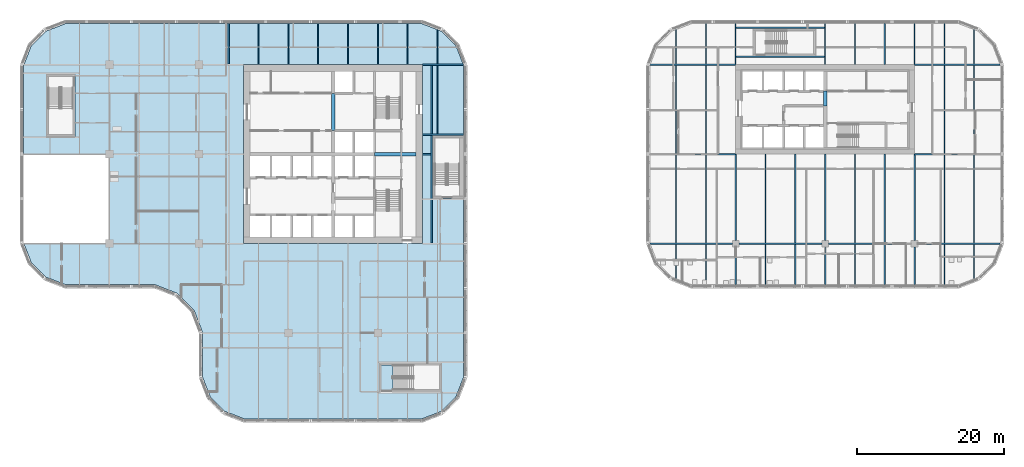
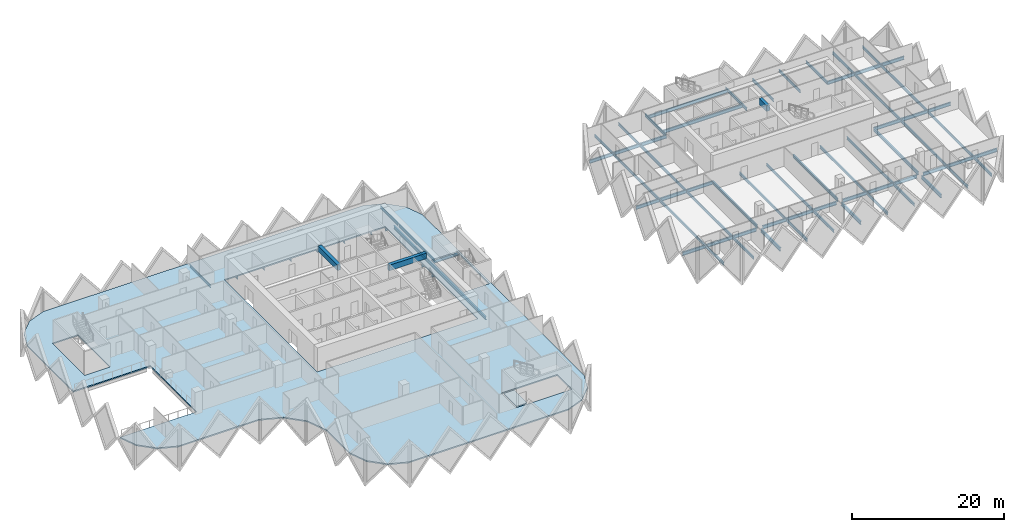
# One storey, part 2 of 20: 61 beams, 2 slabs.
"""IFC4 building model written with IfcOpenShell, lengths in metres."""

from ifc_helpers import new_model, si_unit, direction, frame, origin, origin_2d, place, context, subcontext, project, spatial, polyline, rectangle, i_section, outline, extrude, material, layer, layer_set, material_profile, profile_set, type_object, element, save


model = new_model("IFC4")

# Units and contexts
model_context = context("Model", 3, precision=1e-05, world=origin(), true_north=direction((0.0, 1.0)))
body_context = subcontext(model_context, "Body", "Model", "MODEL_VIEW")
ifc_project = project(units=[si_unit("LENGTHUNIT", "METRE"), si_unit("AREAUNIT", "SQUARE_METRE"), si_unit("VOLUMEUNIT", "CUBIC_METRE"), si_unit("PLANEANGLEUNIT", "RADIAN"), si_unit("MASSUNIT", "GRAM", prefix="KILO")], contexts=[model_context])

# Site, building, storey
site_placement = place(None, origin())
site = spatial("IfcSite", under=ifc_project, at=site_placement, CompositionType="ELEMENT")
building_placement = place(site_placement, origin())
building = spatial("IfcBuilding", under=site, at=building_placement, Name="Tessera Gate Towers", CompositionType="ELEMENT")
storey_placement = place(building_placement, frame((0.0, 0.0, 48.60009765625)))
storey = spatial("IfcBuildingStorey", under=building, at=storey_placement, Name="L11", CompositionType="ELEMENT", Elevation=48.60009765625)

# Beams
ifc_material_1 = material(Name="Concrete C60/75", Category="concrete")
ifc_material_profile_1 = material_profile(ifc_material_1, rectangle(XDim=0.5, YDim=0.89990234375, at=origin_2d()), Name="RC 500x900")
ifc_profile_set_1 = profile_set([ifc_material_profile_1], Name="Concrete C60/75")
beam_type_1 = type_object("IfcBeamType", Name="COUPLING BEAM 500x900 C60/75", PredefinedType="BEAM", material=ifc_profile_set_1)
beam_1_placement = place(storey_placement, frame((109.800048828125, 43.199951171875, 3.14990234375), z_axis=(0.0, 1.0, 0.0), x_axis=(-1.0, 0.0, 0.0)))
element("IfcBeam", 1, at=beam_1_placement, inside=storey, type_object=beam_type_1, Name="L11 coupling beam 1", PredefinedType="BEAM", context=body_context, shape_type="SweptSolid", body=[
    extrude(rectangle(XDim=0.5, YDim=0.89990234375, at=origin_2d()), origin(), (0.0, 0.0, 1.0), 2.0),
])
ifc_material_2 = material(Name="Concrete C70/85", Category="concrete")
ifc_material_profile_2 = material_profile(ifc_material_2, rectangle(XDim=0.5, YDim=0.89990234375, at=origin_2d()), Name="RC 500x900")
ifc_profile_set_2 = profile_set([ifc_material_profile_2], Name="Concrete C70/85")
beam_type_2 = type_object("IfcBeamType", Name="COUPLING BEAM 500x900 C70/85", PredefinedType="BEAM", material=ifc_profile_set_2)
beam_2_placement = place(storey_placement, frame((48.35009765625, 36.60009765625, 3.14990234375), z_axis=(1.0, 0.0, 0.0), x_axis=(0.0, 1.0, 0.0)))
element("IfcBeam", 2, at=beam_2_placement, inside=storey, type_object=beam_type_2, Name="L11 coupling beam 1", PredefinedType="BEAM", context=body_context, shape_type="SweptSolid", body=[
    extrude(rectangle(XDim=0.5, YDim=0.89990234375, at=origin_2d()), origin(), (0.0, 0.0, 1.0), 5.64990234375),
])
beam_3_placement = place(storey_placement, frame((42.699951171875, 39.800048828125, 3.14990234375), z_axis=(0.0, 1.0, 0.0), x_axis=(-1.0, 0.0, 0.0)))
element("IfcBeam", 3, at=beam_3_placement, inside=storey, type_object=beam_type_2, Name="L11 coupling beam 2", PredefinedType="BEAM", context=body_context, shape_type="SweptSolid", body=[
    extrude(rectangle(XDim=0.5, YDim=0.89990234375, at=origin_2d()), origin(), (0.0, 0.0, 1.0), 5.099853515625),
])
ifc_material_3 = material(Name="Steel 350W", Category="steel")
ifc_material_profile_3 = material_profile(ifc_material_3, i_section(OverallWidth=0.208984375, OverallDepth=0.532958984375, WebThickness=0.01025390625, FlangeThickness=0.015625, at=origin_2d()), Name="W530x92")
ifc_profile_set_3 = profile_set([ifc_material_profile_3], Name="Steel 350W")
beam_type_3 = type_object("IfcBeamType", Name="FLOOR GIRDER W530x92", PredefinedType="BEAM", material=ifc_profile_set_3)
beam_4_placement = place(storey_placement, frame((54.89892578125, 36.60009765625, -0.466552734375), z_axis=(1.0, 0.0, 0.0), x_axis=(0.0, 1.0, 0.0)))
element("IfcBeam", 4, at=beam_4_placement, inside=storey, type_object=beam_type_3, Name="T1-GD-L11-1643", PredefinedType="BEAM", context=body_context, shape_type="SweptSolid", body=[
    extrude(i_section(OverallWidth=0.208984375, OverallDepth=0.532958984375, WebThickness=0.01025390625, FlangeThickness=0.015625, at=origin_2d()), origin(), (0.0, 0.0, 1.0), 1.176513671875),
])
beam_5_placement = place(storey_placement, frame((54.90087890625, 48.800048828125, -0.466552734375), z_axis=(1.0, 0.0, 0.0), x_axis=(0.0, 1.0, 0.0)))
element("IfcBeam", 5, at=beam_5_placement, inside=storey, type_object=beam_type_3, Name="T1-GD-L11-1647", PredefinedType="BEAM", context=body_context, shape_type="SweptSolid", body=[
    extrude(i_section(OverallWidth=0.208984375, OverallDepth=0.532958984375, WebThickness=0.01025390625, FlangeThickness=0.015625, at=origin_2d()), origin(), (0.0, 0.0, 1.0), 5.564208984375),
])
beam_6_placement = place(storey_placement, frame((54.89892578125, 39.219970703125, -0.466552734375), z_axis=(1.0, 0.0, 0.0), x_axis=(0.0, 1.0, 0.0)))
element("IfcBeam", 6, at=beam_6_placement, inside=storey, type_object=beam_type_3, Name="T1-GD-L11-1665", PredefinedType="BEAM", context=body_context, shape_type="SweptSolid", body=[
    extrude(i_section(OverallWidth=0.208984375, OverallDepth=0.532958984375, WebThickness=0.01025390625, FlangeThickness=0.015625, at=origin_2d()), origin(), (0.0, 0.0, 1.0), 5.60205078125),
])
beam_7_placement = place(storey_placement, frame((56.179931640625, 24.50439453125, -0.466552734375), z_axis=(0.0, 1.0, 0.0), x_axis=(-1.0, 0.0, 0.0)))
element("IfcBeam", 7, at=beam_7_placement, inside=storey, type_object=beam_type_3, Name="T1-GD-L11-1666", PredefinedType="BEAM", context=body_context, shape_type="SweptSolid", body=[
    extrude(i_section(OverallWidth=0.208984375, OverallDepth=0.532958984375, WebThickness=0.01025390625, FlangeThickness=0.015625, at=origin_2d()), origin(), (0.0, 0.0, 1.0), 24.191162109375),
])
beam_8_placement = place(storey_placement, frame((85.934814453125, 24.39990234375, -0.466552734375), z_axis=(1.0, 0.0, 0.0), x_axis=(0.0, 1.0, 0.0)))
element("IfcBeam", 8, at=beam_8_placement, inside=storey, type_object=beam_type_3, Name="T2-GD-L11-1707", PredefinedType="BEAM", context=body_context, shape_type="SweptSolid", body=[
    extrude(i_section(OverallWidth=0.208984375, OverallDepth=0.532958984375, WebThickness=0.01025390625, FlangeThickness=0.015625, at=origin_2d()), origin(), (0.0, 0.0, 1.0), 11.215087890625),
])
for number, where, z_axis, x_axis, name in (
    (9, (98.050048828125, 24.39990234375, -0.466552734375), (1.0, 0.0, 0.0), (0.0, 1.0, 0.0), "T2-GD-L11-1708"),
    (10, (110.25, 24.39990234375, -0.466552734375), (1.0, 0.0, 0.0), (0.0, 1.0, 0.0), "T2-GD-L11-1709"),
):
    element("IfcBeam", number, at=place(storey_placement, frame(where, z_axis=z_axis, x_axis=x_axis)), inside=storey, type_object=beam_type_3, Name=name, PredefinedType="BEAM", context=body_context, shape_type="SweptSolid", body=[
        extrude(i_section(OverallWidth=0.208984375, OverallDepth=0.532958984375, WebThickness=0.01025390625, FlangeThickness=0.015625, at=origin_2d()), origin(), (0.0, 0.0, 1.0), 11.300048828125),
    ])
beam_9_placement = place(storey_placement, frame((122.449951171875, 24.39990234375, -0.466552734375), z_axis=(1.0, 0.0, 0.0), x_axis=(0.0, 1.0, 0.0)))
element("IfcBeam", 11, at=beam_9_placement, inside=storey, type_object=beam_type_3, Name="T2-GD-L11-1710", PredefinedType="BEAM", context=body_context, shape_type="SweptSolid", body=[
    extrude(i_section(OverallWidth=0.208984375, OverallDepth=0.532958984375, WebThickness=0.01025390625, FlangeThickness=0.015625, at=origin_2d()), origin(), (0.0, 0.0, 1.0), 11.21533203125),
])
beam_10_placement = place(storey_placement, frame((85.89892578125, 36.60009765625, -0.466552734375), z_axis=(1.0, 0.0, 0.0), x_axis=(0.0, 1.0, 0.0)))
element("IfcBeam", 12, at=beam_10_placement, inside=storey, type_object=beam_type_3, Name="T2-GD-L11-1711", PredefinedType="BEAM", context=body_context, shape_type="SweptSolid", body=[
    extrude(i_section(OverallWidth=0.208984375, OverallDepth=0.532958984375, WebThickness=0.01025390625, FlangeThickness=0.015625, at=origin_2d()), origin(), (0.0, 0.0, 1.0), 11.7001953125),
])
beam_11_placement = place(storey_placement, frame((122.0009765625, 36.60009765625, -0.466552734375), z_axis=(1.0, 0.0, 0.0), x_axis=(0.0, 1.0, 0.0)))
element("IfcBeam", 13, at=beam_11_placement, inside=storey, type_object=beam_type_3, Name="T2-GD-L11-1712", PredefinedType="BEAM", context=body_context, shape_type="SweptSolid", body=[
    extrude(i_section(OverallWidth=0.208984375, OverallDepth=0.532958984375, WebThickness=0.01025390625, FlangeThickness=0.015625, at=origin_2d()), origin(), (0.0, 0.0, 1.0), 11.699951171875),
])
for number, where, z_axis, x_axis, name in (
    (14, (85.934814453125, 48.800048828125, -0.466552734375), (1.0, 0.0, 0.0), (0.0, 1.0, 0.0), "T2-GD-L11-1713"),
    (15, (122.0009765625, 48.800048828125, -0.466552734375), (1.0, 0.0, 0.0), (0.0, 1.0, 0.0), "T2-GD-L11-1714"),
):
    element("IfcBeam", number, at=place(storey_placement, frame(where, z_axis=z_axis, x_axis=x_axis)), inside=storey, type_object=beam_type_3, Name=name, PredefinedType="BEAM", context=body_context, shape_type="SweptSolid", body=[
        extrude(i_section(OverallWidth=0.208984375, OverallDepth=0.532958984375, WebThickness=0.01025390625, FlangeThickness=0.015625, at=origin_2d()), origin(), (0.0, 0.0, 1.0), 11.664306640625),
    ])
beam_12_placement = place(storey_placement, frame((97.60009765625, 18.799072265625, -0.466552734375), z_axis=(0.0, 1.0, 0.0), x_axis=(-1.0, 0.0, 0.0)))
element("IfcBeam", 16, at=beam_12_placement, inside=storey, type_object=beam_type_3, Name="T2-GD-L11-1715", PredefinedType="BEAM", context=body_context, shape_type="SweptSolid", body=[
    extrude(i_section(OverallWidth=0.208984375, OverallDepth=0.532958984375, WebThickness=0.01025390625, FlangeThickness=0.015625, at=origin_2d()), origin(), (0.0, 0.0, 1.0), 5.15087890625),
])
beam_13_placement = place(storey_placement, frame((97.60009765625, 24.85009765625, -0.466552734375), z_axis=(0.0, 1.0, 0.0), x_axis=(-1.0, 0.0, 0.0)))
element("IfcBeam", 17, at=beam_13_placement, inside=storey, type_object=beam_type_3, Name="T2-GD-L11-1716", PredefinedType="BEAM", context=body_context, shape_type="SweptSolid", body=[
    extrude(i_section(OverallWidth=0.208984375, OverallDepth=0.532958984375, WebThickness=0.01025390625, FlangeThickness=0.015625, at=origin_2d()), origin(), (0.0, 0.0, 1.0), 11.75),
])
beam_14_placement = place(storey_placement, frame((109.800048828125, 18.799072265625, -0.466552734375), z_axis=(0.0, 1.0, 0.0), x_axis=(-1.0, 0.0, 0.0)))
element("IfcBeam", 18, at=beam_14_placement, inside=storey, type_object=beam_type_3, Name="T2-GD-L11-1717", PredefinedType="BEAM", context=body_context, shape_type="SweptSolid", body=[
    extrude(i_section(OverallWidth=0.208984375, OverallDepth=0.532958984375, WebThickness=0.01025390625, FlangeThickness=0.015625, at=origin_2d()), origin(), (0.0, 0.0, 1.0), 5.15087890625),
])
beam_15_placement = place(storey_placement, frame((109.800048828125, 24.85009765625, -0.466552734375), z_axis=(0.0, 1.0, 0.0), x_axis=(-1.0, 0.0, 0.0)))
element("IfcBeam", 19, at=beam_15_placement, inside=storey, type_object=beam_type_3, Name="T2-GD-L11-1718", PredefinedType="BEAM", context=body_context, shape_type="SweptSolid", body=[
    extrude(i_section(OverallWidth=0.208984375, OverallDepth=0.532958984375, WebThickness=0.01025390625, FlangeThickness=0.015625, at=origin_2d()), origin(), (0.0, 0.0, 1.0), 11.75),
])
beam_16_placement = place(storey_placement, frame((122.0, 18.799072265625, -0.466552734375), z_axis=(0.0, 1.0, 0.0), x_axis=(-1.0, 0.0, 0.0)))
element("IfcBeam", 20, at=beam_16_placement, inside=storey, type_object=beam_type_3, Name="T2-GD-L11-1719", PredefinedType="BEAM", context=body_context, shape_type="SweptSolid", body=[
    extrude(i_section(OverallWidth=0.208984375, OverallDepth=0.532958984375, WebThickness=0.01025390625, FlangeThickness=0.015625, at=origin_2d()), origin(), (0.0, 0.0, 1.0), 5.15087890625),
])
beam_17_placement = place(storey_placement, frame((122.0, 24.85009765625, -0.466552734375), z_axis=(0.0, 1.0, 0.0), x_axis=(-1.0, 0.0, 0.0)))
element("IfcBeam", 21, at=beam_17_placement, inside=storey, type_object=beam_type_3, Name="T2-GD-L11-1720", PredefinedType="BEAM", context=body_context, shape_type="SweptSolid", body=[
    extrude(i_section(OverallWidth=0.208984375, OverallDepth=0.532958984375, WebThickness=0.01025390625, FlangeThickness=0.015625, at=origin_2d()), origin(), (0.0, 0.0, 1.0), 11.75),
])
for number, where, z_axis, x_axis, name in (
    (22, (97.676513671875, 49.8798828125, -0.466552734375), (1.0, 0.0, 0.0), (0.0, 1.0, 0.0), "T2-GD-L11-1721"),
    (23, (97.676513671875, 53.820068359375, -0.466552734375), (1.0, 0.0, 0.0), (0.0, 1.0, 0.0), "T2-GD-L11-1722"),
):
    element("IfcBeam", number, at=place(storey_placement, frame(where, z_axis=z_axis, x_axis=x_axis)), inside=storey, type_object=beam_type_3, Name=name, PredefinedType="BEAM", context=body_context, shape_type="SweptSolid", body=[
        extrude(i_section(OverallWidth=0.208984375, OverallDepth=0.532958984375, WebThickness=0.01025390625, FlangeThickness=0.015625, at=origin_2d()), origin(), (0.0, 0.0, 1.0), 12.046875),
    ])
ifc_material_4 = material(Name="Steel 350W", Category="steel")
ifc_material_profile_4 = material_profile(ifc_material_4, i_section(OverallWidth=0.153076171875, OverallDepth=0.455078125, WebThickness=0.008056640625, FlangeThickness=0.01318359375, at=origin_2d()), Name="W460x60")
ifc_profile_set_4 = profile_set([ifc_material_profile_4], Name="Steel 350W")
beam_type_4 = type_object("IfcBeamType", Name="FLOOR SECONDARY W460x60", PredefinedType="BEAM", material=ifc_profile_set_4)
beam_18_placement = place(storey_placement, frame((28.466796875, 48.904541015625, -0.427490234375), z_axis=(0.0, 1.0, 0.0), x_axis=(-1.0, 0.0, 0.0)))
element("IfcBeam", 24, at=beam_18_placement, inside=storey, type_object=beam_type_4, Name="T1-BM-L11-1685", PredefinedType="BEAM", context=body_context, shape_type="SweptSolid", body=[
    extrude(i_section(OverallWidth=0.153076171875, OverallDepth=0.455078125, WebThickness=0.008056640625, FlangeThickness=0.01318359375, at=origin_2d()), origin(), (0.0, 0.0, 1.0), 5.495361328125),
])
for number, where, z_axis, x_axis, name in (
    (25, (32.533203125, 48.800048828125, -0.427490234375), (0.0, 1.0, 0.0), (-1.0, 0.0, 0.0), "T1-BM-L11-1688"),
    (26, (36.60009765625, 48.800048828125, -0.427490234375), (0.0, 1.0, 0.0), (-1.0, 0.0, 0.0), "T1-BM-L11-1689"),
    (27, (40.666748046875, 48.800048828125, -0.427490234375), (0.0, 1.0, 0.0), (-1.0, 0.0, 0.0), "T1-BM-L11-1692"),
    (28, (44.7333984375, 48.800048828125, -0.427490234375), (0.0, 1.0, 0.0), (-1.0, 0.0, 0.0), "T1-BM-L11-1695"),
    (29, (48.800048828125, 48.800048828125, -0.427490234375), (0.0, 1.0, 0.0), (-1.0, 0.0, 0.0), "T1-BM-L11-1696"),
    (30, (52.86669921875, 48.800048828125, -0.427490234375), (0.0, 1.0, 0.0), (-1.0, 0.0, 0.0), "T1-BM-L11-1700"),
):
    element("IfcBeam", number, at=place(storey_placement, frame(where, z_axis=z_axis, x_axis=x_axis)), inside=storey, type_object=beam_type_4, Name=name, PredefinedType="BEAM", context=body_context, shape_type="SweptSolid", body=[
        extrude(i_section(OverallWidth=0.153076171875, OverallDepth=0.455078125, WebThickness=0.008056640625, FlangeThickness=0.01318359375, at=origin_2d()), origin(), (0.0, 0.0, 1.0), 5.599853515625),
    ])
beam_19_placement = place(storey_placement, frame((56.933349609375, 39.324462890625, -0.427490234375), z_axis=(0.0, 1.0, 0.0), x_axis=(-1.0, 0.0, 0.0)))
element("IfcBeam", 31, at=beam_19_placement, inside=storey, type_object=beam_type_4, Name="T1-BM-L11-1705", PredefinedType="BEAM", context=body_context, shape_type="SweptSolid", body=[
    extrude(i_section(OverallWidth=0.153076171875, OverallDepth=0.455078125, WebThickness=0.008056640625, FlangeThickness=0.01318359375, at=origin_2d()), origin(), (0.0, 0.0, 1.0), 9.37109375),
])
for number, where, z_axis, x_axis, name in (
    (32, (56.933349609375, 48.904541015625, -0.427490234375), (0.0, 1.0, 0.0), (-1.0, 0.0, 0.0), "T1-BM-L11-1706"),
    (33, (89.466796875, 19.620361328125, -0.427490234375), (0.0, 1.0, 0.0), (-1.0, 0.0, 0.0), "T2-BM-L11-1723"),
):
    element("IfcBeam", number, at=place(storey_placement, frame(where, z_axis=z_axis, x_axis=x_axis)), inside=storey, type_object=beam_type_4, Name=name, PredefinedType="BEAM", context=body_context, shape_type="SweptSolid", body=[
        extrude(i_section(OverallWidth=0.153076171875, OverallDepth=0.455078125, WebThickness=0.008056640625, FlangeThickness=0.01318359375, at=origin_2d()), origin(), (0.0, 0.0, 1.0), 4.675048828125),
    ])
beam_20_placement = place(storey_placement, frame((89.466796875, 24.50439453125, -0.427490234375), z_axis=(0.0, 1.0, 0.0), x_axis=(-1.0, 0.0, 0.0)))
element("IfcBeam", 34, at=beam_20_placement, inside=storey, type_object=beam_type_4, Name="T2-BM-L11-1724", PredefinedType="BEAM", context=body_context, shape_type="SweptSolid", body=[
    extrude(i_section(OverallWidth=0.153076171875, OverallDepth=0.455078125, WebThickness=0.008056640625, FlangeThickness=0.01318359375, at=origin_2d()), origin(), (0.0, 0.0, 1.0), 11.9912109375),
])
beam_21_placement = place(storey_placement, frame((89.466796875, 36.70458984375, -0.427490234375), z_axis=(0.0, 1.0, 0.0), x_axis=(-1.0, 0.0, 0.0)))
element("IfcBeam", 35, at=beam_21_placement, inside=storey, type_object=beam_type_4, Name="T2-BM-L11-1725", PredefinedType="BEAM", context=body_context, shape_type="SweptSolid", body=[
    extrude(i_section(OverallWidth=0.153076171875, OverallDepth=0.455078125, WebThickness=0.008056640625, FlangeThickness=0.01318359375, at=origin_2d()), origin(), (0.0, 0.0, 1.0), 11.990966796875),
])
beam_22_placement = place(storey_placement, frame((89.466796875, 48.904541015625, -0.427490234375), z_axis=(0.0, 1.0, 0.0), x_axis=(-1.0, 0.0, 0.0)))
element("IfcBeam", 36, at=beam_22_placement, inside=storey, type_object=beam_type_4, Name="T2-BM-L11-1726", PredefinedType="BEAM", context=body_context, shape_type="SweptSolid", body=[
    extrude(i_section(OverallWidth=0.153076171875, OverallDepth=0.455078125, WebThickness=0.008056640625, FlangeThickness=0.01318359375, at=origin_2d()), origin(), (0.0, 0.0, 1.0), 4.675048828125),
])
beam_23_placement = place(storey_placement, frame((93.533203125, 18.800048828125, -0.427490234375), z_axis=(0.0, 1.0, 0.0), x_axis=(-1.0, 0.0, 0.0)))
element("IfcBeam", 37, at=beam_23_placement, inside=storey, type_object=beam_type_4, Name="T2-BM-L11-1727", PredefinedType="BEAM", context=body_context, shape_type="SweptSolid", body=[
    extrude(i_section(OverallWidth=0.153076171875, OverallDepth=0.455078125, WebThickness=0.008056640625, FlangeThickness=0.01318359375, at=origin_2d()), origin(), (0.0, 0.0, 1.0), 5.495361328125),
])
beam_24_placement = place(storey_placement, frame((93.533203125, 24.50439453125, -0.427490234375), z_axis=(0.0, 1.0, 0.0), x_axis=(-1.0, 0.0, 0.0)))
element("IfcBeam", 38, at=beam_24_placement, inside=storey, type_object=beam_type_4, Name="T2-BM-L11-1728", PredefinedType="BEAM", context=body_context, shape_type="SweptSolid", body=[
    extrude(i_section(OverallWidth=0.153076171875, OverallDepth=0.455078125, WebThickness=0.008056640625, FlangeThickness=0.01318359375, at=origin_2d()), origin(), (0.0, 0.0, 1.0), 11.9912109375),
])
beam_25_placement = place(storey_placement, frame((93.533203125, 36.70458984375, -0.427490234375), z_axis=(0.0, 1.0, 0.0), x_axis=(-1.0, 0.0, 0.0)))
element("IfcBeam", 39, at=beam_25_placement, inside=storey, type_object=beam_type_4, Name="T2-BM-L11-1729", PredefinedType="BEAM", context=body_context, shape_type="SweptSolid", body=[
    extrude(i_section(OverallWidth=0.153076171875, OverallDepth=0.455078125, WebThickness=0.008056640625, FlangeThickness=0.01318359375, at=origin_2d()), origin(), (0.0, 0.0, 1.0), 11.990966796875),
])
beam_26_placement = place(storey_placement, frame((93.533203125, 48.904541015625, -0.427490234375), z_axis=(0.0, 1.0, 0.0), x_axis=(-1.0, 0.0, 0.0)))
element("IfcBeam", 40, at=beam_26_placement, inside=storey, type_object=beam_type_4, Name="T2-BM-L11-1730", PredefinedType="BEAM", context=body_context, shape_type="SweptSolid", body=[
    extrude(i_section(OverallWidth=0.153076171875, OverallDepth=0.455078125, WebThickness=0.008056640625, FlangeThickness=0.01318359375, at=origin_2d()), origin(), (0.0, 0.0, 1.0), 5.495361328125),
])
beam_27_placement = place(storey_placement, frame((97.60009765625, 48.800048828125, -0.427490234375), z_axis=(0.0, 1.0, 0.0), x_axis=(-1.0, 0.0, 0.0)))
element("IfcBeam", 41, at=beam_27_placement, inside=storey, type_object=beam_type_4, Name="T2-BM-L11-1731", PredefinedType="BEAM", context=body_context, shape_type="SweptSolid", body=[
    extrude(i_section(OverallWidth=0.153076171875, OverallDepth=0.455078125, WebThickness=0.008056640625, FlangeThickness=0.01318359375, at=origin_2d()), origin(), (0.0, 0.0, 1.0), 5.599853515625),
])
beam_28_placement = place(storey_placement, frame((101.666748046875, 18.800048828125, -0.427490234375), z_axis=(0.0, 1.0, 0.0), x_axis=(-1.0, 0.0, 0.0)))
element("IfcBeam", 42, at=beam_28_placement, inside=storey, type_object=beam_type_4, Name="T2-BM-L11-1732", PredefinedType="BEAM", context=body_context, shape_type="SweptSolid", body=[
    extrude(i_section(OverallWidth=0.153076171875, OverallDepth=0.455078125, WebThickness=0.008056640625, FlangeThickness=0.01318359375, at=origin_2d()), origin(), (0.0, 0.0, 1.0), 5.495361328125),
])
beam_29_placement = place(storey_placement, frame((101.666748046875, 24.50439453125, -0.427490234375), z_axis=(0.0, 1.0, 0.0), x_axis=(-1.0, 0.0, 0.0)))
element("IfcBeam", 43, at=beam_29_placement, inside=storey, type_object=beam_type_4, Name="T2-BM-L11-1733", PredefinedType="BEAM", context=body_context, shape_type="SweptSolid", body=[
    extrude(i_section(OverallWidth=0.153076171875, OverallDepth=0.455078125, WebThickness=0.008056640625, FlangeThickness=0.01318359375, at=origin_2d()), origin(), (0.0, 0.0, 1.0), 12.095703125),
])
beam_30_placement = place(storey_placement, frame((105.7333984375, 18.800048828125, -0.427490234375), z_axis=(0.0, 1.0, 0.0), x_axis=(-1.0, 0.0, 0.0)))
element("IfcBeam", 44, at=beam_30_placement, inside=storey, type_object=beam_type_4, Name="T2-BM-L11-1734", PredefinedType="BEAM", context=body_context, shape_type="SweptSolid", body=[
    extrude(i_section(OverallWidth=0.153076171875, OverallDepth=0.455078125, WebThickness=0.008056640625, FlangeThickness=0.01318359375, at=origin_2d()), origin(), (0.0, 0.0, 1.0), 5.495361328125),
])
beam_31_placement = place(storey_placement, frame((105.7333984375, 24.50439453125, -0.427490234375), z_axis=(0.0, 1.0, 0.0), x_axis=(-1.0, 0.0, 0.0)))
element("IfcBeam", 45, at=beam_31_placement, inside=storey, type_object=beam_type_4, Name="T2-BM-L11-1735", PredefinedType="BEAM", context=body_context, shape_type="SweptSolid", body=[
    extrude(i_section(OverallWidth=0.153076171875, OverallDepth=0.455078125, WebThickness=0.008056640625, FlangeThickness=0.01318359375, at=origin_2d()), origin(), (0.0, 0.0, 1.0), 12.095703125),
])
beam_32_placement = place(storey_placement, frame((109.800048828125, 48.800048828125, -0.427490234375), z_axis=(0.0, 1.0, 0.0), x_axis=(-1.0, 0.0, 0.0)))
element("IfcBeam", 46, at=beam_32_placement, inside=storey, type_object=beam_type_4, Name="T2-BM-L11-1736", PredefinedType="BEAM", context=body_context, shape_type="SweptSolid", body=[
    extrude(i_section(OverallWidth=0.153076171875, OverallDepth=0.455078125, WebThickness=0.008056640625, FlangeThickness=0.01318359375, at=origin_2d()), origin(), (0.0, 0.0, 1.0), 5.599853515625),
])
beam_33_placement = place(storey_placement, frame((113.86669921875, 18.800048828125, -0.427490234375), z_axis=(0.0, 1.0, 0.0), x_axis=(-1.0, 0.0, 0.0)))
element("IfcBeam", 47, at=beam_33_placement, inside=storey, type_object=beam_type_4, Name="T2-BM-L11-1737", PredefinedType="BEAM", context=body_context, shape_type="SweptSolid", body=[
    extrude(i_section(OverallWidth=0.153076171875, OverallDepth=0.455078125, WebThickness=0.008056640625, FlangeThickness=0.01318359375, at=origin_2d()), origin(), (0.0, 0.0, 1.0), 5.495361328125),
])
beam_34_placement = place(storey_placement, frame((113.86669921875, 24.50439453125, -0.427490234375), z_axis=(0.0, 1.0, 0.0), x_axis=(-1.0, 0.0, 0.0)))
element("IfcBeam", 48, at=beam_34_placement, inside=storey, type_object=beam_type_4, Name="T2-BM-L11-1738", PredefinedType="BEAM", context=body_context, shape_type="SweptSolid", body=[
    extrude(i_section(OverallWidth=0.153076171875, OverallDepth=0.455078125, WebThickness=0.008056640625, FlangeThickness=0.01318359375, at=origin_2d()), origin(), (0.0, 0.0, 1.0), 12.095703125),
])
beam_35_placement = place(storey_placement, frame((113.86669921875, 48.800048828125, -0.427490234375), z_axis=(0.0, 1.0, 0.0), x_axis=(-1.0, 0.0, 0.0)))
element("IfcBeam", 49, at=beam_35_placement, inside=storey, type_object=beam_type_4, Name="T2-BM-L11-1739", PredefinedType="BEAM", context=body_context, shape_type="SweptSolid", body=[
    extrude(i_section(OverallWidth=0.153076171875, OverallDepth=0.455078125, WebThickness=0.008056640625, FlangeThickness=0.01318359375, at=origin_2d()), origin(), (0.0, 0.0, 1.0), 5.599853515625),
])
beam_36_placement = place(storey_placement, frame((117.933349609375, 18.800048828125, -0.427490234375), z_axis=(0.0, 1.0, 0.0), x_axis=(-1.0, 0.0, 0.0)))
element("IfcBeam", 50, at=beam_36_placement, inside=storey, type_object=beam_type_4, Name="T2-BM-L11-1740", PredefinedType="BEAM", context=body_context, shape_type="SweptSolid", body=[
    extrude(i_section(OverallWidth=0.153076171875, OverallDepth=0.455078125, WebThickness=0.008056640625, FlangeThickness=0.01318359375, at=origin_2d()), origin(), (0.0, 0.0, 1.0), 5.495361328125),
])
beam_37_placement = place(storey_placement, frame((117.933349609375, 24.50439453125, -0.427490234375), z_axis=(0.0, 1.0, 0.0), x_axis=(-1.0, 0.0, 0.0)))
element("IfcBeam", 51, at=beam_37_placement, inside=storey, type_object=beam_type_4, Name="T2-BM-L11-1741", PredefinedType="BEAM", context=body_context, shape_type="SweptSolid", body=[
    extrude(i_section(OverallWidth=0.153076171875, OverallDepth=0.455078125, WebThickness=0.008056640625, FlangeThickness=0.01318359375, at=origin_2d()), origin(), (0.0, 0.0, 1.0), 12.095703125),
])
for number, where, z_axis, x_axis, name in (
    (52, (117.933349609375, 48.800048828125, -0.427490234375), (0.0, 1.0, 0.0), (-1.0, 0.0, 0.0), "T2-BM-L11-1742"),
    (53, (122.0, 48.800048828125, -0.427490234375), (0.0, 1.0, 0.0), (-1.0, 0.0, 0.0), "T2-BM-L11-1743"),
):
    element("IfcBeam", number, at=place(storey_placement, frame(where, z_axis=z_axis, x_axis=x_axis)), inside=storey, type_object=beam_type_4, Name=name, PredefinedType="BEAM", context=body_context, shape_type="SweptSolid", body=[
        extrude(i_section(OverallWidth=0.153076171875, OverallDepth=0.455078125, WebThickness=0.008056640625, FlangeThickness=0.01318359375, at=origin_2d()), origin(), (0.0, 0.0, 1.0), 5.599853515625),
    ])
beam_38_placement = place(storey_placement, frame((126.066650390625, 18.800048828125, -0.427490234375), z_axis=(0.0, 1.0, 0.0), x_axis=(-1.0, 0.0, 0.0)))
element("IfcBeam", 54, at=beam_38_placement, inside=storey, type_object=beam_type_4, Name="T2-BM-L11-1744", PredefinedType="BEAM", context=body_context, shape_type="SweptSolid", body=[
    extrude(i_section(OverallWidth=0.153076171875, OverallDepth=0.455078125, WebThickness=0.008056640625, FlangeThickness=0.01318359375, at=origin_2d()), origin(), (0.0, 0.0, 1.0), 5.495361328125),
])
beam_39_placement = place(storey_placement, frame((126.066650390625, 24.50439453125, -0.427490234375), z_axis=(0.0, 1.0, 0.0), x_axis=(-1.0, 0.0, 0.0)))
element("IfcBeam", 55, at=beam_39_placement, inside=storey, type_object=beam_type_4, Name="T2-BM-L11-1745", PredefinedType="BEAM", context=body_context, shape_type="SweptSolid", body=[
    extrude(i_section(OverallWidth=0.153076171875, OverallDepth=0.455078125, WebThickness=0.008056640625, FlangeThickness=0.01318359375, at=origin_2d()), origin(), (0.0, 0.0, 1.0), 11.9912109375),
])
beam_40_placement = place(storey_placement, frame((126.066650390625, 36.70458984375, -0.427490234375), z_axis=(0.0, 1.0, 0.0), x_axis=(-1.0, 0.0, 0.0)))
element("IfcBeam", 56, at=beam_40_placement, inside=storey, type_object=beam_type_4, Name="T2-BM-L11-1746", PredefinedType="BEAM", context=body_context, shape_type="SweptSolid", body=[
    extrude(i_section(OverallWidth=0.153076171875, OverallDepth=0.455078125, WebThickness=0.008056640625, FlangeThickness=0.01318359375, at=origin_2d()), origin(), (0.0, 0.0, 1.0), 11.990966796875),
])
beam_41_placement = place(storey_placement, frame((126.066650390625, 48.904541015625, -0.427490234375), z_axis=(0.0, 1.0, 0.0), x_axis=(-1.0, 0.0, 0.0)))
element("IfcBeam", 57, at=beam_41_placement, inside=storey, type_object=beam_type_4, Name="T2-BM-L11-1747", PredefinedType="BEAM", context=body_context, shape_type="SweptSolid", body=[
    extrude(i_section(OverallWidth=0.153076171875, OverallDepth=0.455078125, WebThickness=0.008056640625, FlangeThickness=0.01318359375, at=origin_2d()), origin(), (0.0, 0.0, 1.0), 5.495361328125),
])
beam_42_placement = place(storey_placement, frame((130.13330078125, 19.620361328125, -0.427490234375), z_axis=(0.0, 1.0, 0.0), x_axis=(-1.0, 0.0, 0.0)))
element("IfcBeam", 58, at=beam_42_placement, inside=storey, type_object=beam_type_4, Name="T2-BM-L11-1748", PredefinedType="BEAM", context=body_context, shape_type="SweptSolid", body=[
    extrude(i_section(OverallWidth=0.153076171875, OverallDepth=0.455078125, WebThickness=0.008056640625, FlangeThickness=0.01318359375, at=origin_2d()), origin(), (0.0, 0.0, 1.0), 4.675048828125),
])
beam_43_placement = place(storey_placement, frame((130.13330078125, 24.50439453125, -0.427490234375), z_axis=(0.0, 1.0, 0.0), x_axis=(-1.0, 0.0, 0.0)))
element("IfcBeam", 59, at=beam_43_placement, inside=storey, type_object=beam_type_4, Name="T2-BM-L11-1749", PredefinedType="BEAM", context=body_context, shape_type="SweptSolid", body=[
    extrude(i_section(OverallWidth=0.153076171875, OverallDepth=0.455078125, WebThickness=0.008056640625, FlangeThickness=0.01318359375, at=origin_2d()), origin(), (0.0, 0.0, 1.0), 11.9912109375),
])
beam_44_placement = place(storey_placement, frame((130.13330078125, 36.70458984375, -0.427490234375), z_axis=(0.0, 1.0, 0.0), x_axis=(-1.0, 0.0, 0.0)))
element("IfcBeam", 60, at=beam_44_placement, inside=storey, type_object=beam_type_4, Name="T2-BM-L11-1750", PredefinedType="BEAM", context=body_context, shape_type="SweptSolid", body=[
    extrude(i_section(OverallWidth=0.153076171875, OverallDepth=0.455078125, WebThickness=0.008056640625, FlangeThickness=0.01318359375, at=origin_2d()), origin(), (0.0, 0.0, 1.0), 11.990966796875),
])
beam_45_placement = place(storey_placement, frame((130.13330078125, 48.904541015625, -0.427490234375), z_axis=(0.0, 1.0, 0.0), x_axis=(-1.0, 0.0, 0.0)))
element("IfcBeam", 61, at=beam_45_placement, inside=storey, type_object=beam_type_4, Name="T2-BM-L11-1751", PredefinedType="BEAM", context=body_context, shape_type="SweptSolid", body=[
    extrude(i_section(OverallWidth=0.153076171875, OverallDepth=0.455078125, WebThickness=0.008056640625, FlangeThickness=0.01318359375, at=origin_2d()), origin(), (0.0, 0.0, 1.0), 4.675048828125),
])

# Slabs
ifc_material_5 = material(Name="Concrete C35/45", Category="concrete")
ifc_layer_1 = layer(ifc_material_5, 0.199951171875)
ifc_layer_set_1 = layer_set([ifc_layer_1], Name="COMPOSITE FLOOR 200")
slab_type_1 = type_object("IfcSlabType", Name="COMPOSITE FLOOR 200", PredefinedType="FLOOR", material=ifc_layer_set_1)
slab_1_placement = place(storey_placement, frame((0.0, 0.0, -0.2001953125)))
element("IfcSlab", 62, at=slab_1_placement, inside=storey, type_object=slab_type_1, Name="T1-L11", PredefinedType="FLOOR", context=body_context, shape_type="SweptSolid", body=[
    extrude(outline(polyline([(0.5, 36.60009765625), (12.199951171875, 36.60009765625), (12.199951171875, 24.39990234375), (0.535888671875, 24.39990234375), (1.526123046875, 21.8330078125), (3.533203125, 19.826171875), (6.193115234375, 18.800048828125), (18.39306640625, 18.800048828125), (21.42431640625, 17.630615234375), (23.730712890625, 15.32421875), (24.89990234375, 12.293212890625), (24.89990234375, 6.193115234375), (25.926025390625, 3.533203125), (27.93310546875, 1.526123046875), (30.593017578125, 0.5), (54.806884765625, 0.5), (57.466796875, 1.526123046875), (59.473876953125, 3.533203125), (60.5, 6.193115234375), (60.5, 48.706787109375), (59.473876953125, 51.366943359375), (57.466796875, 53.373779296875), (54.806884765625, 54.39990234375), (6.193115234375, 54.39990234375), (3.533203125, 53.373779296875), (1.526123046875, 51.366943359375), (0.5, 48.706787109375), (0.5, 36.60009765625)]), holes=[polyline([(3.60009765625, 39.0), (3.60009765625, 47.5), (7.5, 47.5), (7.5, 39.0), (3.60009765625, 39.0)]), polyline([(30.5, 24.39990234375), (30.5, 48.800048828125), (54.89990234375, 48.800048828125), (54.89990234375, 24.39990234375), (30.5, 24.39990234375)]), polyline([(49.0, 4.199951171875), (49.0, 8.10009765625), (57.5, 8.10009765625), (57.5, 4.199951171875), (49.0, 4.199951171875)]), polyline([(56.300048828125, 30.60009765625), (56.300048828125, 39.10009765625), (60.199951171875, 39.10009765625), (60.199951171875, 30.60009765625), (56.300048828125, 30.60009765625)])]), origin(), (0.0, 0.0, 1.0), 0.2001953125),
])
ifc_material_6 = material(Name="Concrete C35/45", Category="concrete")
ifc_layer_2 = layer(ifc_material_6, 0.199951171875)
ifc_layer_set_2 = layer_set([ifc_layer_2], Name="CORE FLOOR SLAB 200")
slab_type_2 = type_object("IfcSlabType", Name="CORE FLOOR SLAB 200", PredefinedType="FLOOR", material=ifc_layer_set_2)
slab_2_placement = place(storey_placement, frame((0.0, 0.0, -0.2001953125)))
element("IfcSlab", 63, at=slab_2_placement, inside=storey, type_object=slab_type_2, Name="L11 ST4 floor landing", PredefinedType="FLOOR", context=body_context, shape_type="SweptSolid", body=[
    extrude(outline(polyline([(49.25, 4.449951171875), (50.85009765625, 4.449951171875), (50.85009765625, 7.85009765625), (49.25, 7.85009765625), (49.25, 4.449951171875)])), origin(), (0.0, 0.0, 1.0), 0.2001953125),
])

save(model, "model.ifc")
